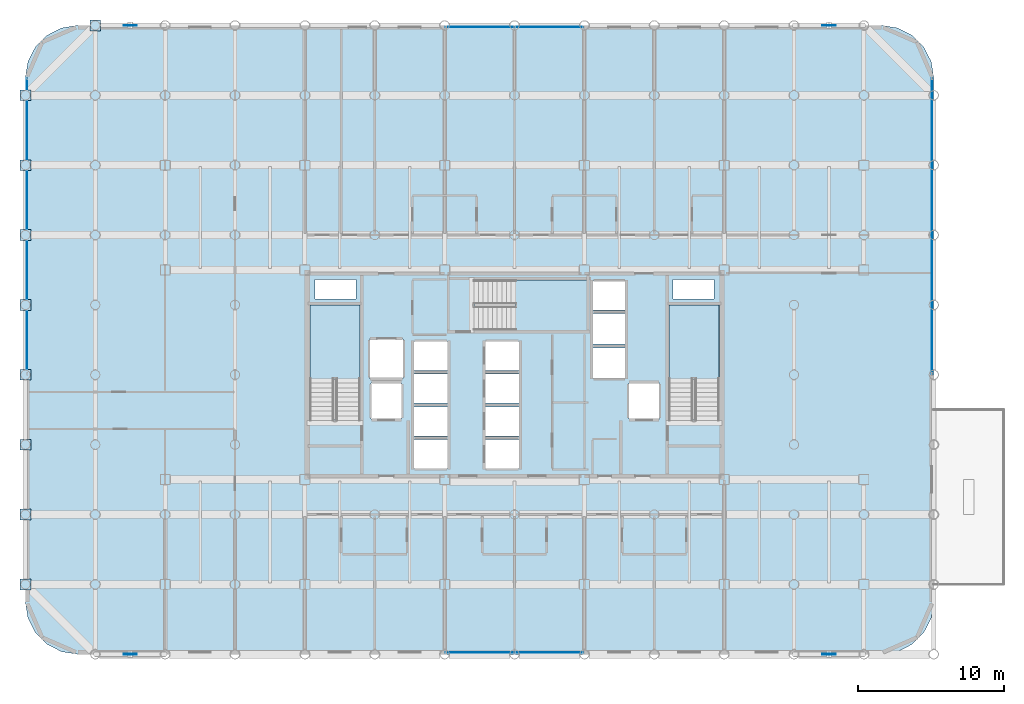
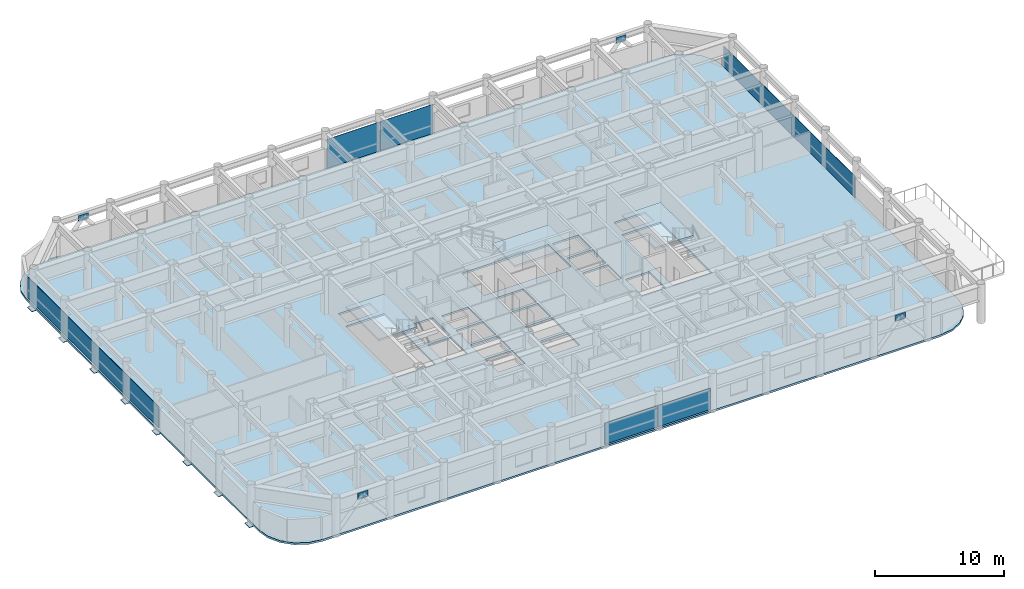
# One storey, part 15 of 23: 19 plates, 4 slabs, 7 elements without a shape of their own.
"""IFC4 building model written with IfcOpenShell, lengths in metres."""

from ifc_helpers import new_model, si_unit, direction, frame, origin, origin_2d, place, context, subcontext, project, spatial, polyline, rectangle, outline, extrude, material, layer, layer_set, type_object, element, aggregate, save


model = new_model("IFC4")

# Units and contexts
model_context = context("Model", 3, precision=1e-05, world=origin(), true_north=direction((0.0, 1.0)))
body_context = subcontext(model_context, "Body", "Model", "MODEL_VIEW")
ifc_project = project(units=[si_unit("LENGTHUNIT", "METRE"), si_unit("AREAUNIT", "SQUARE_METRE"), si_unit("VOLUMEUNIT", "CUBIC_METRE"), si_unit("PLANEANGLEUNIT", "RADIAN"), si_unit("MASSUNIT", "GRAM", prefix="KILO")], contexts=[model_context])

# Site, building, storey
site_placement = place(None, origin())
site = spatial("IfcSite", under=ifc_project, at=site_placement, CompositionType="ELEMENT")
building_placement = place(site_placement, origin())
building = spatial("IfcBuilding", under=site, at=building_placement, Name="Kallvorn Hotel Tower", CompositionType="ELEMENT")
storey_placement = place(building_placement, frame((0.0, 0.0, 124.800048828125)))
storey = spatial("IfcBuildingStorey", under=building, at=storey_placement, Name="L30", CompositionType="ELEMENT", Elevation=124.800048828125)

# Curtain wall, plates
ifc_material_1 = material(Name="Thermally broken black-anodised aluminium AA 6063-T6", Category="aluminium")
ifc_layer_1 = layer(ifc_material_1, 0.2099609375)
ifc_layer_set_1 = layer_set([ifc_layer_1], Name="CW_SYS_4_HOTEL_MID")
curtain_wall_type = type_object("IfcCurtainWallType", Name="CW_SYS_4_HOTEL_MID", PredefinedType="USERDEFINED", material=ifc_layer_set_1)
curtain_wall_1_placement = place(storey_placement, origin())
curtain_wall_1 = element("IfcCurtainWall", 1, at=curtain_wall_1_placement, inside=storey, type_object=curtain_wall_type, Name="L30 Dark-Glass Curtain Wall CW-L30-SC", ObjectType="UNITISED CURTAIN WALL", PredefinedType="USERDEFINED")
ifc_material_2 = material(Name="Double-glazed low-e solar-control dark glass", Category="glass")
ifc_layer_2 = layer(ifc_material_2, 0.037841796875)
ifc_layer_set_2 = layer_set([ifc_layer_2], Name="CW_SYS_4_HOTEL_MID_PANEL")
plate_type_1 = type_object("IfcPlateType", Name="CW_SYS_4_HOTEL_MID_PANEL", PredefinedType="CURTAIN_PANEL", material=ifc_layer_set_2)
plate_1_placement = place(storey_placement, frame((-2.375, -19.080078125, 0.06005859375), z_axis=(0.0, 0.0, 1.0), x_axis=(1.0, 0.0, 0.0)))
plate_1 = element("IfcPlate", 2, at=plate_1_placement, type_object=plate_type_1, Name="CW-L30-SC Vision Glass Panel 00", PredefinedType="CURTAIN_PANEL", context=body_context, shape_type="SweptSolid", body=[
    extrude(rectangle(XDim=4.68994140625, YDim=0.037841796875, at=origin_2d()), origin(), (0.0, 0.0, 1.0), 2.0),
])
plate_2_placement = place(storey_placement, frame((2.375, -19.080078125, 0.06005859375), z_axis=(0.0, 0.0, 1.0), x_axis=(1.0, 0.0, 0.0)))
plate_2 = element("IfcPlate", 3, at=plate_2_placement, type_object=plate_type_1, Name="CW-L30-SC Vision Glass Panel 01", PredefinedType="CURTAIN_PANEL", context=body_context, shape_type="SweptSolid", body=[
    extrude(rectangle(XDim=4.68994140625, YDim=0.037841796875, at=origin_2d()), origin(), (0.0, 0.0, 1.0), 2.0),
])
aggregate(curtain_wall_1, [plate_1, plate_2])

curtain_wall_2_placement = place(storey_placement, origin())
curtain_wall_2 = element("IfcCurtainWall", 4, at=curtain_wall_2_placement, inside=storey, type_object=curtain_wall_type, Name="L30 Dark-Glass Curtain Wall CW-L30-NC", ObjectType="UNITISED CURTAIN WALL", PredefinedType="USERDEFINED")
plate_3_placement = place(storey_placement, frame((-2.375, 23.8798828125, 0.06005859375), z_axis=(0.0, 0.0, 1.0), x_axis=(1.0, 0.0, 0.0)))
plate_3 = element("IfcPlate", 5, at=plate_3_placement, type_object=plate_type_1, Name="CW-L30-NC Vision Glass Panel 00", PredefinedType="CURTAIN_PANEL", context=body_context, shape_type="SweptSolid", body=[
    extrude(rectangle(XDim=4.68994140625, YDim=0.037841796875, at=origin_2d()), origin(), (0.0, 0.0, 1.0), 2.75),
])
plate_4_placement = place(storey_placement, frame((2.375, 23.8798828125, 0.06005859375), z_axis=(0.0, 0.0, 1.0), x_axis=(1.0, 0.0, 0.0)))
plate_4 = element("IfcPlate", 6, at=plate_4_placement, type_object=plate_type_1, Name="CW-L30-NC Vision Glass Panel 01", PredefinedType="CURTAIN_PANEL", context=body_context, shape_type="SweptSolid", body=[
    extrude(rectangle(XDim=4.68994140625, YDim=0.037841796875, at=origin_2d()), origin(), (0.0, 0.0, 1.0), 2.75),
])
aggregate(curtain_wall_2, [plate_3, plate_4])

# Curtain wall, plate
curtain_wall_3_placement = place(storey_placement, origin())
curtain_wall_3 = element("IfcCurtainWall", 7, at=curtain_wall_3_placement, inside=storey, type_object=curtain_wall_type, Name="L30 Dark-Glass Curtain Wall CW-L30-WN", ObjectType="UNITISED CURTAIN WALL", PredefinedType="USERDEFINED")
plate_5_placement = place(storey_placement, frame((-33.47998046875, 10.2099609375, 0.06005859375), z_axis=(0.0, 0.0, 1.0), x_axis=(0.0, 1.0, 0.0)))
plate_5 = element("IfcPlate", 8, at=plate_5_placement, type_object=plate_type_1, Name="CW-L30-WN Vision Glass Panel 00", PredefinedType="CURTAIN_PANEL", context=body_context, shape_type="SweptSolid", body=[
    extrude(rectangle(XDim=20.320068359375, YDim=0.037841796875, at=origin_2d()), origin(), (0.0, 0.0, 1.0), 2.0),
])
aggregate(curtain_wall_3, [plate_5])

curtain_wall_4_placement = place(storey_placement, origin())
curtain_wall_4 = element("IfcCurtainWall", 9, at=curtain_wall_4_placement, inside=storey, type_object=curtain_wall_type, Name="L30 Dark-Glass Curtain Wall CW-L30-EN", ObjectType="UNITISED CURTAIN WALL", PredefinedType="USERDEFINED")
plate_6_placement = place(storey_placement, frame((28.679931640625, 10.2099609375, 0.06005859375), z_axis=(0.0, 0.0, 1.0), x_axis=(0.0, 1.0, 0.0)))
plate_6 = element("IfcPlate", 10, at=plate_6_placement, type_object=plate_type_1, Name="CW-L30-EN Vision Glass Panel 00", PredefinedType="CURTAIN_PANEL", context=body_context, shape_type="SweptSolid", body=[
    extrude(rectangle(XDim=20.320068359375, YDim=0.037841796875, at=origin_2d()), origin(), (0.0, 0.0, 1.0), 2.0),
])
aggregate(curtain_wall_4, [plate_6])

# Plates
ifc_material_3 = material(Name="Structural steel S355JR", Category="steel")
ifc_layer_3 = layer(ifc_material_3, 0.030029296875)
ifc_layer_set_3 = layer_set([ifc_layer_3], Name="PLT_CAP_30")
plate_type_2 = type_object("IfcPlateType", Name="PLT_CAP_30", PredefinedType="SHEET", material=ifc_layer_set_3)
for number, where, z_axis, x_axis, name in (
    (11, (-33.60009765625, -14.39990234375, -0.2099609375), (0.0, 0.0, 1.0), (1.0, 0.0, 0.0), "L30 Hollow Column Base End Cap Plate 0190"),
    (12, (-33.60009765625, -9.60009765625, -0.2099609375), (0.0, 0.0, 1.0), (1.0, 0.0, 0.0), "L30 Hollow Column Base End Cap Plate 0191"),
    (13, (-33.60009765625, -4.800048828125, -0.2099609375), (0.0, 0.0, 1.0), (1.0, 0.0, 0.0), "L30 Hollow Column Base End Cap Plate 0192"),
    (14, (-33.60009765625, 0.0, -0.2099609375), (0.0, 0.0, 1.0), (1.0, 0.0, 0.0), "L30 Hollow Column Base End Cap Plate 0193"),
    (15, (-33.60009765625, 4.800048828125, -0.2099609375), (0.0, 0.0, 1.0), (1.0, 0.0, 0.0), "L30 Hollow Column Base End Cap Plate 0194"),
    (16, (-33.60009765625, 9.60009765625, -0.2099609375), (0.0, 0.0, 1.0), (1.0, 0.0, 0.0), "L30 Hollow Column Base End Cap Plate 0195"),
    (17, (-33.60009765625, 14.39990234375, -0.2099609375), (0.0, 0.0, 1.0), (1.0, 0.0, 0.0), "L30 Hollow Column Base End Cap Plate 0196"),
    (18, (-33.60009765625, 19.199951171875, -0.2099609375), (0.0, 0.0, 1.0), (1.0, 0.0, 0.0), "L30 Hollow Column Base End Cap Plate 0197"),
    (19, (-28.800048828125, 24.0, -0.2099609375), (0.0, 0.0, 1.0), (1.0, 0.0, 0.0), "L30 Hollow Column Base End Cap Plate 0198"),
):
    element("IfcPlate", number, at=place(storey_placement, frame(where, z_axis=z_axis, x_axis=x_axis)), inside=storey, type_object=plate_type_2, Name=name, PredefinedType="SHEET", context=body_context, shape_type="SweptSolid", body=[
        extrude(rectangle(XDim=0.739990234375, YDim=0.739990234375, at=origin_2d()), origin(), (0.0, 0.0, 1.0), 0.030029296875),
    ])
ifc_material_4 = material(Name="Structural steel S355JR", Category="steel")
ifc_layer_4 = layer(ifc_material_4, 0.044921875)
ifc_layer_set_4 = layer_set([ifc_layer_4], Name="PLT_GUSSET_45")
plate_type_3 = type_object("IfcPlateType", Name="PLT_GUSSET_45", PredefinedType="USERDEFINED", material=ifc_layer_set_4)
for number, where, z_axis, x_axis, name in (
    (20, (-26.39990234375, -19.199951171875, 2.68994140625), (0.0, 0.0, 1.0), (1.0, 0.0, 0.0), "L30 Exoskeleton Node Gusset S1"),
    (21, (21.60009765625, -19.199951171875, 2.68994140625), (0.0, 0.0, 1.0), (1.0, 0.0, 0.0), "L30 Exoskeleton Node Gusset S2"),
    (22, (-26.39990234375, 24.0, 2.68994140625), (0.0, 0.0, 1.0), (1.0, 0.0, 0.0), "L30 Exoskeleton Node Gusset N1"),
    (23, (21.60009765625, 24.0, 2.68994140625), (0.0, 0.0, 1.0), (1.0, 0.0, 0.0), "L30 Exoskeleton Node Gusset N2"),
):
    element("IfcPlate", number, at=place(storey_placement, frame(where, z_axis=z_axis, x_axis=x_axis)), inside=storey, type_object=plate_type_3, Name=name, ObjectType="GUSSET PLATE", PredefinedType="USERDEFINED", context=body_context, shape_type="SweptSolid", body=[
        extrude(rectangle(XDim=0.89990234375, YDim=0.044921875, at=origin_2d()), origin(), (0.0, 0.0, 1.0), 0.56005859375),
    ])

# Stair, slab
ifc_material_5 = material(Name="Precast concrete C40/50", Category="concrete")
stair_type = type_object("IfcStairType", Name="STR_CORE_DOGLEG", PredefinedType="HALF_TURN_STAIR", material=ifc_material_5)
stair_1_placement = place(storey_placement, origin())
stair_1 = element("IfcStair", 24, at=stair_1_placement, inside=storey, type_object=stair_type, Name="L30 Exit stair ST1", PredefinedType="HALF_TURN_STAIR")
ifc_material_6 = material(Name="Precast concrete C40/50", Category="concrete")
ifc_layer_5 = layer(ifc_material_6, 0.179931640625)
ifc_layer_set_5 = layer_set([ifc_layer_5], Name="SLB_LANDING_180")
slab_type_1 = type_object("IfcSlabType", Name="SLB_LANDING_180", PredefinedType="LANDING", material=ifc_layer_set_5)
slab_1_placement = place(storey_placement, frame((0.0, 0.0, 1.64990234375)))
slab_1 = element("IfcSlab", 25, at=slab_1_placement, type_object=slab_type_1, Name="ST1 landing 1", PredefinedType="LANDING", context=body_context, shape_type="SweptSolid", body=[
    extrude(outline(polyline([(-10.60009765625, -0.31005859375), (-10.60009765625, 4.800048828125), (-14.06005859375, 4.800048828125), (-14.06005859375, -0.31005859375), (-10.60009765625, -0.31005859375)])), origin(), (0.0, 0.0, 1.0), 0.199951171875),
])
aggregate(stair_1, [slab_1])

stair_2_placement = place(storey_placement, origin())
stair_2 = element("IfcStair", 26, at=stair_2_placement, inside=storey, type_object=stair_type, Name="L30 Exit stair ST2", PredefinedType="HALF_TURN_STAIR")
slab_2_placement = place(storey_placement, frame((0.0, 0.0, 1.64990234375)))
slab_2 = element("IfcSlab", 27, at=slab_2_placement, type_object=slab_type_1, Name="ST2 landing 1", PredefinedType="LANDING", context=body_context, shape_type="SweptSolid", body=[
    extrude(outline(polyline([(14.06005859375, -0.31005859375), (14.06005859375, 4.800048828125), (10.60009765625, 4.800048828125), (10.60009765625, -0.31005859375), (14.06005859375, -0.31005859375)])), origin(), (0.0, 0.0, 1.0), 0.199951171875),
])
aggregate(stair_2, [slab_2])

stair_3_placement = place(storey_placement, origin())
stair_3 = element("IfcStair", 28, at=stair_3_placement, inside=storey, type_object=stair_type, Name="L30 Exit stair ST3", PredefinedType="HALF_TURN_STAIR")
slab_3_placement = place(storey_placement, frame((0.0, 0.0, 1.64990234375)))
slab_3 = element("IfcSlab", 29, at=slab_3_placement, type_object=slab_type_1, Name="ST3 landing 1", PredefinedType="LANDING", context=body_context, shape_type="SweptSolid", body=[
    extrude(outline(polyline([(0.0400390625, 3.050048828125), (5.050048828125, 3.050048828125), (5.050048828125, 6.510009765625), (0.0400390625, 6.510009765625), (0.0400390625, 3.050048828125)])), origin(), (0.0, 0.0, 1.0), 0.199951171875),
])
aggregate(stair_3, [slab_3])

# Slab
ifc_material_7 = material(Name="Concrete C40/50", Category="concrete")
ifc_layer_6 = layer(ifc_material_7, 0.179931640625)
ifc_layer_set_6 = layer_set([ifc_layer_6], Name="SLB_TOWER_180")
slab_type_2 = type_object("IfcSlabType", Name="SLB_TOWER_180", PredefinedType="FLOOR", material=ifc_layer_set_6)
slab_4_placement = place(storey_placement, frame((0.0, 0.0, -0.179931640625)))
element("IfcSlab", 30, at=slab_4_placement, inside=storey, type_object=slab_type_2, Name="L30 Structural Floor Slab", PredefinedType="FLOOR", context=body_context, shape_type="SweptSolid", body=[
    extrude(outline(polyline([(25.199951171875, -19.199951171875), (26.3125, -19.023681640625), (27.31591796875, -18.512451171875), (28.112548828125, -17.716064453125), (28.623779296875, -16.71240234375), (28.800048828125, -15.60009765625), (28.800048828125, 20.39990234375), (28.623779296875, 21.512451171875), (28.112548828125, 22.51611328125), (27.31591796875, 23.3125), (26.3125, 23.82373046875), (25.199951171875, 24.0), (-30.0, 24.0), (-31.112548828125, 23.82373046875), (-32.115966796875, 23.3125), (-32.91259765625, 22.51611328125), (-33.423828125, 21.512451171875), (-33.60009765625, 20.39990234375), (-33.60009765625, -15.60009765625), (-33.423828125, -16.71240234375), (-32.91259765625, -17.716064453125), (-32.115966796875, -18.512451171875), (-31.112548828125, -19.023681640625), (-30.0, -19.199951171875), (25.199951171875, -19.199951171875)]), holes=[polyline([(-10.60009765625, -3.070068359375), (-10.60009765625, 4.800048828125), (-14.06005859375, 4.800048828125), (-14.06005859375, -3.070068359375), (-10.60009765625, -3.070068359375)]), polyline([(14.06005859375, -3.070068359375), (14.06005859375, 4.800048828125), (10.60009765625, 4.800048828125), (10.60009765625, -3.070068359375), (14.06005859375, -3.070068359375)]), polyline([(-2.719970703125, 3.050048828125), (5.050048828125, 3.050048828125), (5.050048828125, 6.510009765625), (-2.719970703125, 6.510009765625), (-2.719970703125, 3.050048828125)]), polyline([(-6.949951171875, -6.449951171875), (-4.550048828125, -6.449951171875), (-4.550048828125, -4.449951171875), (-6.949951171875, -4.449951171875), (-6.949951171875, -6.449951171875)]), polyline([(-6.949951171875, -4.199951171875), (-4.550048828125, -4.199951171875), (-4.550048828125, -2.199951171875), (-6.949951171875, -2.199951171875), (-6.949951171875, -4.199951171875)]), polyline([(-6.949951171875, -1.949951171875), (-4.550048828125, -1.949951171875), (-4.550048828125, 0.050048828125), (-6.949951171875, 0.050048828125), (-6.949951171875, -1.949951171875)]), polyline([(-6.949951171875, 0.300048828125), (-4.550048828125, 0.300048828125), (-4.550048828125, 2.300048828125), (-6.949951171875, 2.300048828125), (-6.949951171875, 0.300048828125)]), polyline([(-2.050048828125, -6.449951171875), (0.35009765625, -6.449951171875), (0.35009765625, -4.449951171875), (-2.050048828125, -4.449951171875), (-2.050048828125, -6.449951171875)]), polyline([(-2.050048828125, -4.199951171875), (0.35009765625, -4.199951171875), (0.35009765625, -2.199951171875), (-2.050048828125, -2.199951171875), (-2.050048828125, -4.199951171875)]), polyline([(-2.050048828125, -1.949951171875), (0.35009765625, -1.949951171875), (0.35009765625, 0.050048828125), (-2.050048828125, 0.050048828125), (-2.050048828125, -1.949951171875)]), polyline([(-2.050048828125, 0.300048828125), (0.35009765625, 0.300048828125), (0.35009765625, 2.300048828125), (-2.050048828125, 2.300048828125), (-2.050048828125, 0.300048828125)]), polyline([(5.35009765625, -0.25), (7.64990234375, -0.25), (7.64990234375, 1.85009765625), (5.35009765625, 1.85009765625), (5.35009765625, -0.25)]), polyline([(5.35009765625, 2.10009765625), (7.64990234375, 2.10009765625), (7.64990234375, 4.199951171875), (5.35009765625, 4.199951171875), (5.35009765625, 2.10009765625)]), polyline([(5.35009765625, 4.449951171875), (7.64990234375, 4.449951171875), (7.64990234375, 6.449951171875), (5.35009765625, 6.449951171875), (5.35009765625, 4.449951171875)]), polyline([(-9.85009765625, -3.050048828125), (-7.75, -3.050048828125), (-7.75, -0.550048828125), (-9.85009765625, -0.550048828125), (-9.85009765625, -3.050048828125)]), polyline([(7.85009765625, -3.050048828125), (9.949951171875, -3.050048828125), (9.949951171875, -0.550048828125), (7.85009765625, -0.550048828125), (7.85009765625, -3.050048828125)]), polyline([(-9.949951171875, -0.25), (-7.64990234375, -0.25), (-7.64990234375, 2.449951171875), (-9.949951171875, 2.449951171875), (-9.949951171875, -0.25)]), polyline([(-13.699951171875, 5.199951171875), (-10.89990234375, 5.199951171875), (-10.89990234375, 6.550048828125), (-13.699951171875, 6.550048828125), (-13.699951171875, 5.199951171875)]), polyline([(10.89990234375, 5.199951171875), (13.699951171875, 5.199951171875), (13.699951171875, 6.550048828125), (10.89990234375, 6.550048828125), (10.89990234375, 5.199951171875)])]), origin(), (0.0, 0.0, 1.0), 0.179931640625),
])

save(model, "model.ifc")
